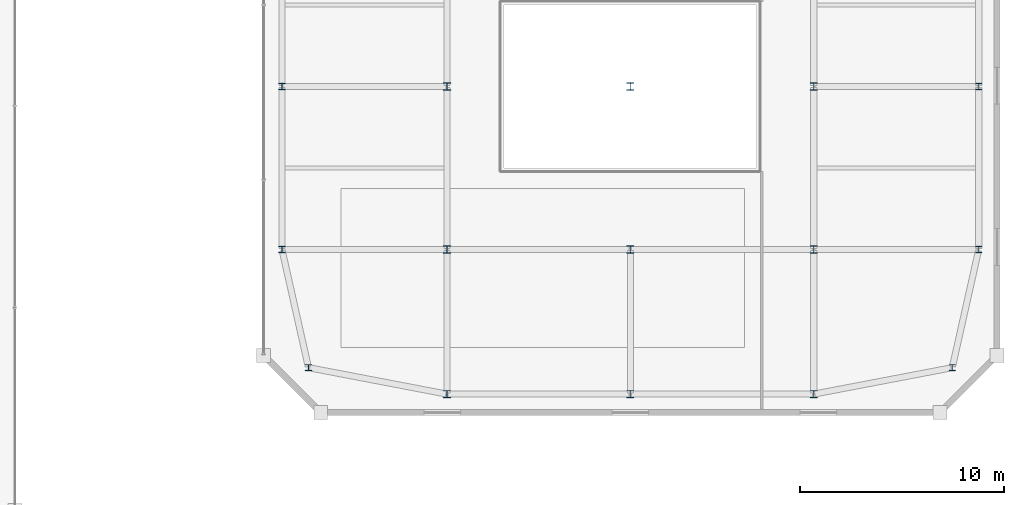
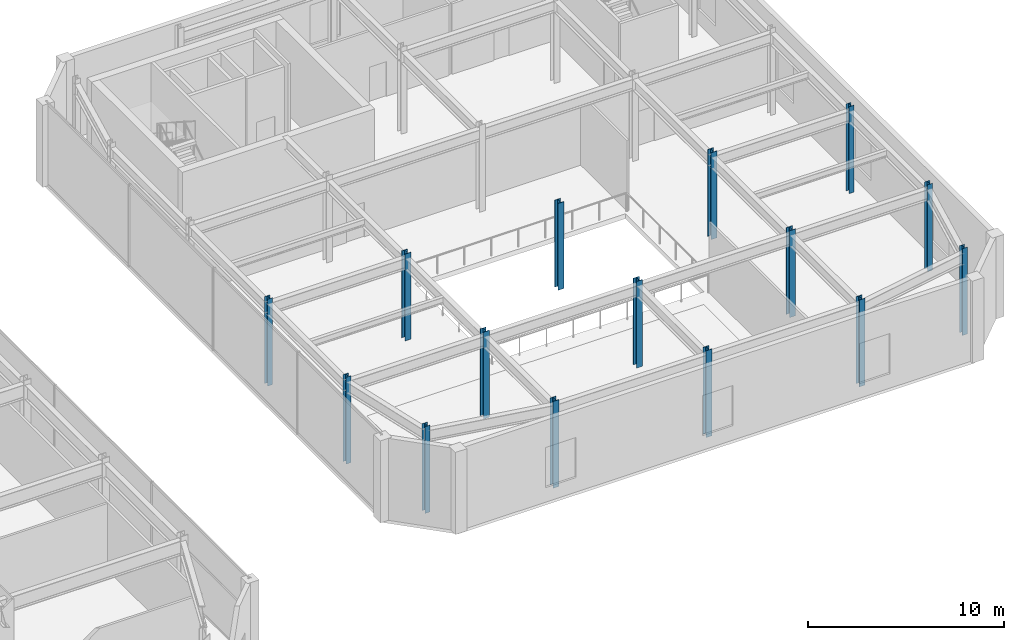
# One storey, part 6 of 52: 15 columns.
"""IFC4 building model written with IfcOpenShell, lengths in metres."""

from ifc_helpers import new_model, si_unit, direction, frame, origin, origin_2d, place, context, subcontext, project, spatial, i_section, extrude, material, material_profile, profile_set, type_object, element, save


model = new_model("IFC4")

# Units and contexts
model_context = context("Model", 3, precision=1e-05, world=origin(), true_north=direction((0.0, 1.0)))
body_context = subcontext(model_context, "Body", "Model", "MODEL_VIEW")
ifc_project = project(units=[si_unit("LENGTHUNIT", "METRE"), si_unit("AREAUNIT", "SQUARE_METRE"), si_unit("VOLUMEUNIT", "CUBIC_METRE"), si_unit("PLANEANGLEUNIT", "RADIAN"), si_unit("MASSUNIT", "GRAM", prefix="KILO")], contexts=[model_context])

# Site, building, storey
site_placement = place(None, origin())
site = spatial("IfcSite", under=ifc_project, at=site_placement, CompositionType="ELEMENT")
building_placement = place(site_placement, origin())
building = spatial("IfcBuilding", under=site, at=building_placement, Name="Saevonmaru Cultural Tower", CompositionType="ELEMENT")
storey_placement = place(building_placement, frame((0.0, 0.0, 16.800048828125)))
storey = spatial("IfcBuildingStorey", under=building, at=storey_placement, Name="L03", CompositionType="ELEMENT", Elevation=16.800048828125)

# Columns
ifc_material = material(Name="Steel SM355", Category="steel")
ifc_material_profile_1 = material_profile(ifc_material, i_section(OverallWidth=0.300048828125, OverallDepth=0.300048828125, WebThickness=0.010009765625, FlangeThickness=0.014892578125, FilletRadius=0.01806640625, at=origin_2d()), Name="H-300x300x10x15")
ifc_profile_set_1 = profile_set([ifc_material_profile_1], Name="Steel SM355")
column_type_1 = type_object("IfcColumnType", Name="COL-H-300", PredefinedType="COLUMN", material=ifc_profile_set_1)
for number, where, z_axis, x_axis, name in (
    (1, (74.39990234375, 10.199951171875, 0.0), (0.0, 0.0, 1.0), (1.0, 0.0, 0.0), "L03 Column LC-9-B"),
    (2, (73.10009765625, 16.0, 0.0), (0.0, 0.0, 1.0), (1.0, 0.0, 0.0), "L03 Column LC-9-C"),
    (3, (73.10009765625, 24.0, 0.0), (0.0, 0.0, 1.0), (1.0, 0.0, 0.0), "L03 Column LC-9-D"),
    (4, (106.0, 10.199951171875, 0.0), (0.0, 0.0, 1.0), (1.0, 0.0, 0.0), "L03 Column LC-13-B"),
    (5, (107.300048828125, 16.0, 0.0), (0.0, 0.0, 1.0), (1.0, 0.0, 0.0), "L03 Column LC-13-C"),
    (6, (107.300048828125, 24.0, 0.0), (0.0, 0.0, 1.0), (1.0, 0.0, 0.0), "L03 Column LC-13-D"),
):
    element("IfcColumn", number, at=place(storey_placement, frame(where, z_axis=z_axis, x_axis=x_axis)), inside=storey, type_object=column_type_1, Name=name, PredefinedType="COLUMN", context=body_context, shape_type="SweptSolid", body=[
        extrude(i_section(OverallWidth=0.300048828125, OverallDepth=0.300048828125, WebThickness=0.010009765625, FlangeThickness=0.014892578125, FilletRadius=0.01806640625, at=origin_2d()), origin(), (0.0, 0.0, 1.0), 5.39990234375),
    ])
ifc_material_profile_2 = material_profile(ifc_material, i_section(OverallWidth=0.35009765625, OverallDepth=0.35009765625, WebThickness=0.011962890625, FlangeThickness=0.01904296875, FilletRadius=0.02001953125, at=origin_2d()), Name="H-350x350x12x19")
ifc_profile_set_2 = profile_set([ifc_material_profile_2], Name="Steel SM355")
column_type_2 = type_object("IfcColumnType", Name="COL-H-350", PredefinedType="COLUMN", material=ifc_profile_set_2)
for number, where, z_axis, x_axis, name in (
    (7, (81.199951171875, 8.89990234375, 0.0), (0.0, 0.0, 1.0), (1.0, 0.0, 0.0), "L03 Column LC-10-B"),
    (8, (81.199951171875, 16.0, 0.0), (0.0, 0.0, 1.0), (1.0, 0.0, 0.0), "L03 Column LC-10-C"),
    (9, (81.199951171875, 24.0, 0.0), (0.0, 0.0, 1.0), (1.0, 0.0, 0.0), "L03 Column LC-10-D"),
    (10, (90.199951171875, 8.89990234375, 0.0), (0.0, 0.0, 1.0), (1.0, 0.0, 0.0), "L03 Column LC-11-B"),
    (11, (90.199951171875, 16.0, 0.0), (0.0, 0.0, 1.0), (1.0, 0.0, 0.0), "L03 Column LC-11-C"),
    (12, (90.199951171875, 24.0, 0.0), (0.0, 0.0, 1.0), (1.0, 0.0, 0.0), "L03 Column LC-11-D"),
    (13, (99.199951171875, 8.89990234375, 0.0), (0.0, 0.0, 1.0), (1.0, 0.0, 0.0), "L03 Column LC-12-B"),
    (14, (99.199951171875, 16.0, 0.0), (0.0, 0.0, 1.0), (1.0, 0.0, 0.0), "L03 Column LC-12-C"),
    (15, (99.199951171875, 24.0, 0.0), (0.0, 0.0, 1.0), (1.0, 0.0, 0.0), "L03 Column LC-12-D"),
):
    element("IfcColumn", number, at=place(storey_placement, frame(where, z_axis=z_axis, x_axis=x_axis)), inside=storey, type_object=column_type_2, Name=name, PredefinedType="COLUMN", context=body_context, shape_type="SweptSolid", body=[
        extrude(i_section(OverallWidth=0.35009765625, OverallDepth=0.35009765625, WebThickness=0.011962890625, FlangeThickness=0.01904296875, FilletRadius=0.02001953125, at=origin_2d()), origin(), (0.0, 0.0, 1.0), 5.39990234375),
    ])

save(model, "model.ifc")
